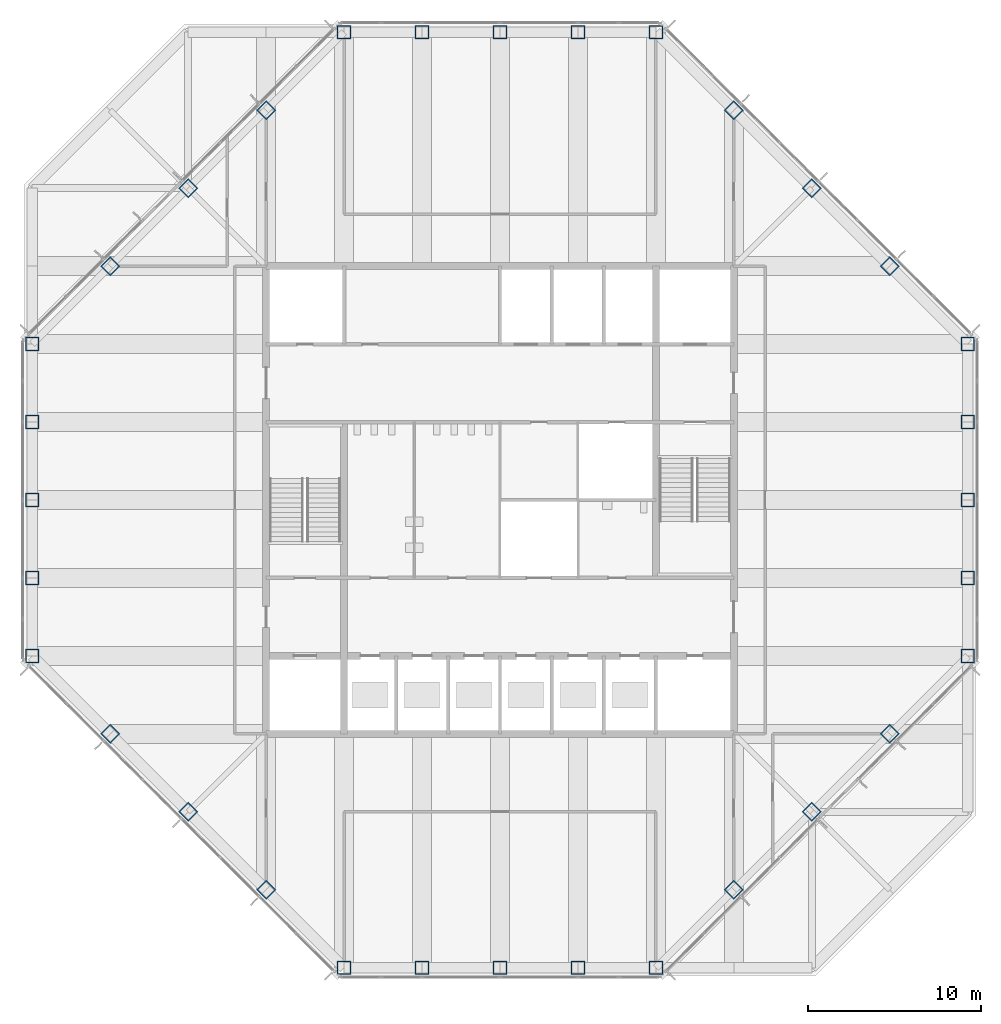
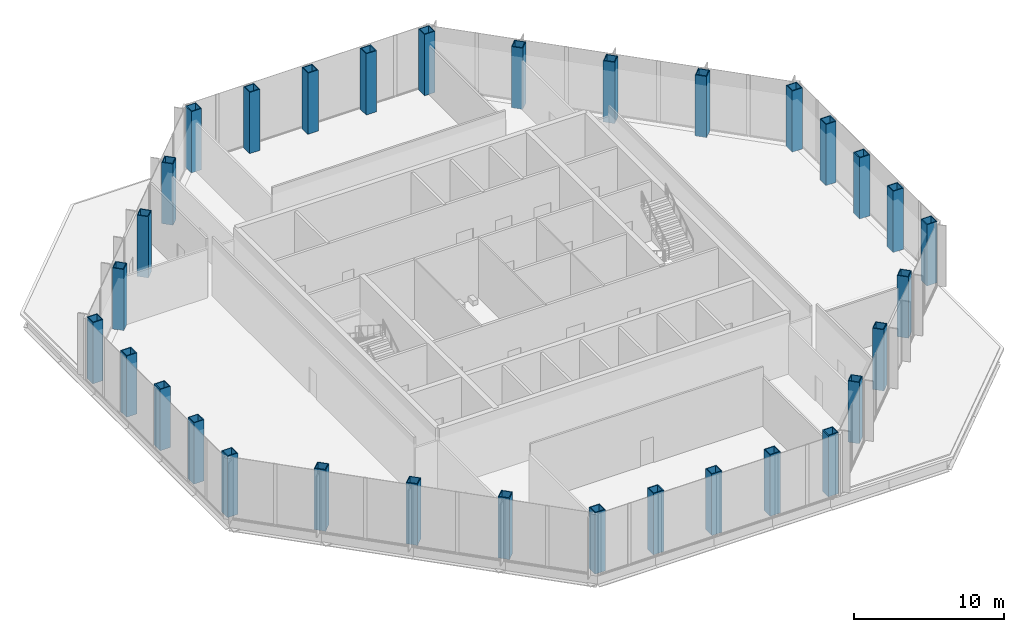
# One storey, part 1 of 12: 32 columns.
"""IFC4 building model written with IfcOpenShell, lengths in metres."""

from ifc_helpers import new_model, si_unit, direction, frame, origin, origin_2d, place, context, subcontext, project, spatial, hollow_rectangle, extrude, material, material_profile, profile_set, type_object, element, save


model = new_model("IFC4")

# Units and contexts
model_context = context("Model", 3, precision=1e-05, world=origin(), true_north=direction((0.0, 1.0)))
body_context = subcontext(model_context, "Body", "Model", "MODEL_VIEW")
ifc_project = project(units=[si_unit("LENGTHUNIT", "METRE"), si_unit("AREAUNIT", "SQUARE_METRE"), si_unit("VOLUMEUNIT", "CUBIC_METRE"), si_unit("PLANEANGLEUNIT", "RADIAN"), si_unit("MASSUNIT", "GRAM", prefix="KILO")], contexts=[model_context])

# Site, building, storey
site_placement = place(None, origin())
site = spatial("IfcSite", under=ifc_project, at=site_placement, CompositionType="ELEMENT")
building_placement = place(site_placement, origin())
building = spatial("IfcBuilding", under=site, at=building_placement, Name="Corais Broadcast Tower", CompositionType="ELEMENT")
storey_placement = place(building_placement, frame((0.0, 0.0, 205.60009765625)))
storey = spatial("IfcBuildingStorey", under=building, at=storey_placement, Name="L47", CompositionType="ELEMENT", Elevation=205.60009765625)

# Columns
ifc_material = material(Name="Steel ASTM A572 Grade 50", Category="steel")
ifc_material_profile = material_profile(ifc_material, hollow_rectangle(XDim=0.800048828125, YDim=0.800048828125, WallThickness=0.06298828125, at=origin_2d()), Name="BOX 800x800x63")
ifc_profile_set = profile_set([ifc_material_profile], Name="Steel ASTM A572 Grade 50")
column_type = type_object("IfcColumnType", Name="Column BOX 800x800x63", PredefinedType="COLUMN", material=ifc_profile_set)
for number, where, z_axis, x_axis, name in (
    (1, (18.0, 0.0, 0.0), (0.0, 0.0, 1.0), (1.0, 0.0, 0.0), "C10 A/7"),
    (2, (22.5, 0.0, 0.0), (0.0, 0.0, 1.0), (1.0, 0.0, 0.0), "C10 A/8"),
    (3, (27.0, 0.0, 0.0), (0.0, 0.0, 1.0), (1.0, 0.0, 0.0), "C10 A/9"),
    (4, (31.5, 0.0, 0.0), (0.0, 0.0, 1.0), (1.0, 0.0, 0.0), "C10 A/10"),
    (5, (36.0, 0.0, 0.0), (0.0, 0.0, 1.0), (1.0, 0.0, 0.0), "C10 A/11"),
    (6, (54.0, 18.0, 0.0), (0.0, 0.0, 1.0), (1.0, 0.0, 0.0), "C10 E/15"),
    (7, (54.0, 22.5, 0.0), (0.0, 0.0, 1.0), (1.0, 0.0, 0.0), "C10 F/15"),
    (8, (54.0, 27.0, 0.0), (0.0, 0.0, 1.0), (1.0, 0.0, 0.0), "C10 G/15"),
    (9, (54.0, 31.5, 0.0), (0.0, 0.0, 1.0), (1.0, 0.0, 0.0), "C10 H/15"),
    (10, (54.0, 36.0, 0.0), (0.0, 0.0, 1.0), (1.0, 0.0, 0.0), "C10 J/15"),
    (11, (36.0, 54.0, 0.0), (0.0, 0.0, 1.0), (1.0, 0.0, 0.0), "C10 N/11"),
    (12, (31.5, 54.0, 0.0), (0.0, 0.0, 1.0), (1.0, 0.0, 0.0), "C10 N/10"),
    (13, (27.0, 54.0, 0.0), (0.0, 0.0, 1.0), (1.0, 0.0, 0.0), "C10 N/9"),
    (14, (22.5, 54.0, 0.0), (0.0, 0.0, 1.0), (1.0, 0.0, 0.0), "C10 N/8"),
    (15, (18.0, 54.0, 0.0), (0.0, 0.0, 1.0), (1.0, 0.0, 0.0), "C10 N/7"),
    (16, (0.0, 36.0, 0.0), (0.0, 0.0, 1.0), (1.0, 0.0, 0.0), "C10 J/3"),
    (17, (0.0, 31.5, 0.0), (0.0, 0.0, 1.0), (1.0, 0.0, 0.0), "C10 H/3"),
    (18, (0.0, 27.0, 0.0), (0.0, 0.0, 1.0), (1.0, 0.0, 0.0), "C10 G/3"),
    (19, (0.0, 22.5, 0.0), (0.0, 0.0, 1.0), (1.0, 0.0, 0.0), "C10 F/3"),
    (20, (0.0, 18.0, 0.0), (0.0, 0.0, 1.0), (1.0, 0.0, 0.0), "C10 E/3"),
    (21, (13.5, 4.5, 0.0), (0.0, 0.0, 1.0), (0.707106781187, 0.707106781187, 0.0), "C10 B/6"),
    (22, (9.0, 9.0, 0.0), (0.0, 0.0, 1.0), (0.707106781187, 0.707106781187, 0.0), "C10 C/5"),
    (23, (4.5, 13.5, 0.0), (0.0, 0.0, 1.0), (0.707106781187, 0.707106781187, 0.0), "C10 D/4"),
    (24, (40.5, 4.5, 0.0), (0.0, 0.0, 1.0), (0.707106781187, 0.707106781187, 0.0), "C10 B/12"),
    (25, (45.0, 9.0, 0.0), (0.0, 0.0, 1.0), (0.707106781187, 0.707106781187, 0.0), "C10 C/13"),
    (26, (49.5, 13.5, 0.0), (0.0, 0.0, 1.0), (0.707106781187, 0.707106781187, 0.0), "C10 D/14"),
    (27, (49.5, 40.5, 0.0), (0.0, 0.0, 1.0), (0.707106781187, 0.707106781187, 0.0), "C10 K/14"),
    (28, (45.0, 45.0, 0.0), (0.0, 0.0, 1.0), (0.707106781187, 0.707106781187, 0.0), "C10 L/13"),
    (29, (40.5, 49.5, 0.0), (0.0, 0.0, 1.0), (0.707106781187, 0.707106781187, 0.0), "C10 M/12"),
    (30, (4.5, 40.5, 0.0), (0.0, 0.0, 1.0), (0.707106781187, 0.707106781187, 0.0), "C10 K/4"),
    (31, (9.0, 45.0, 0.0), (0.0, 0.0, 1.0), (0.707106781187, 0.707106781187, 0.0), "C10 L/5"),
    (32, (13.5, 49.5, 0.0), (0.0, 0.0, 1.0), (0.707106781187, 0.707106781187, 0.0), "C10 M/6"),
):
    element("IfcColumn", number, at=place(storey_placement, frame(where, z_axis=z_axis, x_axis=x_axis)), inside=storey, type_object=column_type, Name=name, PredefinedType="COLUMN", context=body_context, shape_type="SweptSolid", body=[
        extrude(hollow_rectangle(XDim=0.800048828125, YDim=0.800048828125, WallThickness=0.06298828125, at=origin_2d()), origin(), (0.0, 0.0, 1.0), 5.0),
    ])

save(model, "model.ifc")
